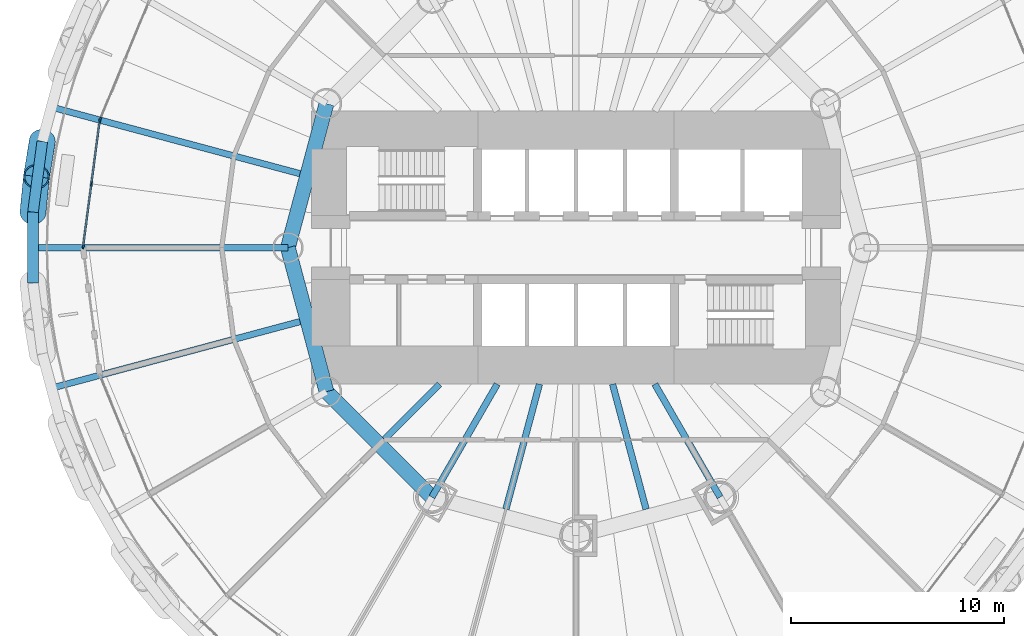
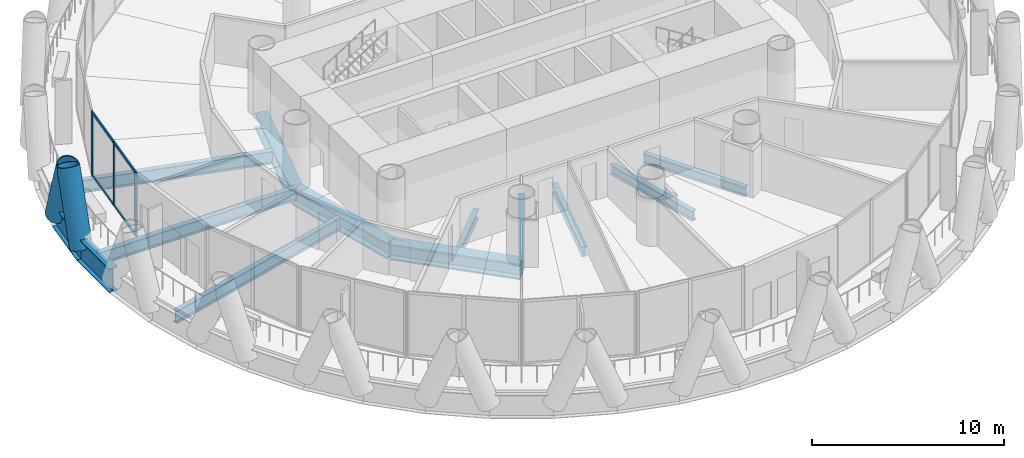
# One storey, part 3 of 16: 13 beams, 10 members, 2 elements without a shape of their own.
"""IFC4 building model written with IfcOpenShell, lengths in metres."""

from ifc_helpers import new_model, si_unit, direction, frame, origin, origin_2d, place, context, subcontext, project, spatial, rectangle, hollow_circle, i_section, extrude, material, material_profile, profile_set, type_object, element, aggregate, save


model = new_model("IFC4")

# Units and contexts
model_context = context("Model", 3, precision=1e-05, world=origin(), true_north=direction((0.0, 1.0)))
body_context = subcontext(model_context, "Body", "Model", "MODEL_VIEW")
ifc_project = project(units=[si_unit("LENGTHUNIT", "METRE"), si_unit("AREAUNIT", "SQUARE_METRE"), si_unit("VOLUMEUNIT", "CUBIC_METRE"), si_unit("PLANEANGLEUNIT", "RADIAN"), si_unit("MASSUNIT", "GRAM", prefix="KILO")], contexts=[model_context])

# Site, building, storey
site_placement = place(None, origin())
site = spatial("IfcSite", under=ifc_project, at=site_placement, CompositionType="ELEMENT")
building_placement = place(site_placement, origin())
building = spatial("IfcBuilding", under=site, at=building_placement, Name="Qaws Media Tower", CompositionType="ELEMENT")
storey_placement = place(building_placement, frame((0.0, 0.0, 80.60009765625)))
storey = spatial("IfcBuildingStorey", under=building, at=storey_placement, Name="L17", CompositionType="ELEMENT", Elevation=80.60009765625)

# Curtain wall, member
ifc_material_1 = material(Name="Aluminium and clear glass", Category="aluminium")
curtain_wall_type = type_object("IfcCurtainWallType", Name="Unitised curtain wall CW-A", PredefinedType="NOTDEFINED", material=ifc_material_1)
curtain_wall_1_placement = place(storey_placement, origin())
curtain_wall_1 = element("IfcCurtainWall", 1, at=curtain_wall_1_placement, inside=storey, type_object=curtain_wall_type, Name="CWA curtain wall L17-11", PredefinedType="NOTDEFINED")
ifc_material_2 = material(Name="Aluminium mullion", Category="aluminium")
ifc_material_profile_1 = material_profile(ifc_material_2, rectangle(XDim=0.080078125, YDim=0.199951171875, at=origin_2d()), Name="80x200")
ifc_profile_set_1 = profile_set([ifc_material_profile_1], Name="Aluminium mullion")
member_type_1 = type_object("IfcMemberType", Name="Curtain wall mullion 80x200", PredefinedType="MULLION", material=ifc_profile_set_1)
member_1_placement = place(storey_placement, frame((37.702392578125, 56.015625, 0.0), z_axis=(0.0, 0.0, 1.0), x_axis=(0.923879517022, -0.382683469758, 0.0)))
member_1 = element("IfcMember", 2, at=member_1_placement, type_object=member_type_1, Name="CWA mullion 3", PredefinedType="MULLION", context=body_context, shape_type="SweptSolid", body=[
    extrude(rectangle(XDim=0.080078125, YDim=0.199951171875, at=origin_2d()), origin(), (0.0, 0.0, 1.0), 4.039794921875),
])
aggregate(curtain_wall_1, [member_1])

# Curtain wall, members
curtain_wall_2_placement = place(storey_placement, origin())
curtain_wall_2 = element("IfcCurtainWall", 3, at=curtain_wall_2_placement, inside=storey, type_object=curtain_wall_type, Name="CWA curtain wall L17-12", PredefinedType="NOTDEFINED")
member_2_placement = place(storey_placement, frame((37.681884765625, 55.93896484375, 0.0), z_axis=(0.0, 0.0, 1.0), x_axis=(0.991444870395, -0.130526123696, 0.0)))
member_2 = element("IfcMember", 4, at=member_2_placement, type_object=member_type_1, Name="CWA mullion 1", PredefinedType="MULLION", context=body_context, shape_type="SweptSolid", body=[
    extrude(rectangle(XDim=0.080078125, YDim=0.199951171875, at=origin_2d()), origin(), (0.0, 0.0, 1.0), 4.039794921875),
])
member_3_placement = place(storey_placement, frame((37.29345703125, 52.9892578125, 0.0), z_axis=(0.0, 0.0, 1.0), x_axis=(0.991444870395, -0.130526123696, 0.0)))
member_3 = element("IfcMember", 5, at=member_3_placement, type_object=member_type_1, Name="CWA mullion 2", PredefinedType="MULLION", context=body_context, shape_type="SweptSolid", body=[
    extrude(rectangle(XDim=0.080078125, YDim=0.199951171875, at=origin_2d()), origin(), (0.0, 0.0, 1.0), 4.039794921875),
])
member_4_placement = place(storey_placement, frame((36.9052734375, 50.03955078125, 0.0), z_axis=(0.0, 0.0, 1.0), x_axis=(0.991444870395, -0.130526123696, 0.0)))
member_4 = element("IfcMember", 6, at=member_4_placement, type_object=member_type_1, Name="CWA mullion 3", PredefinedType="MULLION", context=body_context, shape_type="SweptSolid", body=[
    extrude(rectangle(XDim=0.080078125, YDim=0.199951171875, at=origin_2d()), origin(), (0.0, 0.0, 1.0), 4.039794921875),
])
ifc_material_3 = material(Name="Aluminium transom", Category="aluminium")
ifc_material_profile_2 = material_profile(ifc_material_3, rectangle(XDim=0.080078125, YDim=0.159912109375, at=origin_2d()), Name="80x160")
ifc_profile_set_2 = profile_set([ifc_material_profile_2], Name="Aluminium transom")
member_type_2 = type_object("IfcMemberType", Name="Curtain wall transom 80x160", PredefinedType="USERDEFINED", material=ifc_profile_set_2)
member_5_placement = place(storey_placement, frame((37.6767578125, 55.8994140625, 0.039794921875), z_axis=(-0.130539586254, -0.991443097924, 0.0), x_axis=(0.991443097924, -0.130539586254, 0.0)))
member_5 = element("IfcMember", 7, at=member_5_placement, type_object=member_type_2, Name="CWA transom 1.1", ObjectType="TRANSOM", PredefinedType="USERDEFINED", context=body_context, shape_type="SweptSolid", body=[
    extrude(rectangle(XDim=0.080078125, YDim=0.159912109375, at=origin_2d()), origin(), (0.0, 0.0, 1.0), 2.89501953125),
])
member_6_placement = place(storey_placement, frame((37.6767578125, 55.8994140625, 4.0), z_axis=(-0.130539586254, -0.991443097924, 0.0), x_axis=(0.991443097924, -0.130539586254, 0.0)))
member_6 = element("IfcMember", 8, at=member_6_placement, type_object=member_type_2, Name="CWA transom 1.2", ObjectType="TRANSOM", PredefinedType="USERDEFINED", context=body_context, shape_type="SweptSolid", body=[
    extrude(rectangle(XDim=0.080078125, YDim=0.159912109375, at=origin_2d()), origin(), (0.0, 0.0, 1.0), 2.89501953125),
])
member_7_placement = place(storey_placement, frame((37.288330078125, 52.94970703125, 0.039794921875), z_axis=(-0.130539586254, -0.991443097924, 0.0), x_axis=(0.991443097924, -0.130539586254, 0.0)))
member_7 = element("IfcMember", 9, at=member_7_placement, type_object=member_type_2, Name="CWA transom 2.1", ObjectType="TRANSOM", PredefinedType="USERDEFINED", context=body_context, shape_type="SweptSolid", body=[
    extrude(rectangle(XDim=0.080078125, YDim=0.159912109375, at=origin_2d()), origin(), (0.0, 0.0, 1.0), 2.89501953125),
])
member_8_placement = place(storey_placement, frame((37.288330078125, 52.94970703125, 4.0), z_axis=(-0.130539586254, -0.991443097924, 0.0), x_axis=(0.991443097924, -0.130539586254, 0.0)))
member_8 = element("IfcMember", 10, at=member_8_placement, type_object=member_type_2, Name="CWA transom 2.2", ObjectType="TRANSOM", PredefinedType="USERDEFINED", context=body_context, shape_type="SweptSolid", body=[
    extrude(rectangle(XDim=0.080078125, YDim=0.159912109375, at=origin_2d()), origin(), (0.0, 0.0, 1.0), 2.89501953125),
])
aggregate(curtain_wall_2, [member_2, member_3, member_4, member_5, member_6, member_7, member_8])

# Members
ifc_material_4 = material(Name="Steel S460", Category="steel")
ifc_material_profile_3 = material_profile(ifc_material_4, hollow_circle(Radius=0.609619140625, WallThickness=0.06005859375, at=origin_2d()), Name="CHS 1219x60")
ifc_profile_set_3 = profile_set([ifc_material_profile_3], Name="Steel S460")
member_type_3 = type_object("IfcMemberType", Name="Diagrid member CHS 1219x60", PredefinedType="USERDEFINED", material=ifc_profile_set_3)
for number, where, z_axis, x_axis, name in (
    (11, (34.989990234375, 54.974853515625, -0.91015625), (-0.060125850438, -0.364320516937, 0.929330642478), (0.986653650306, -0.16283296453, 0.0), "DG1 diagrid L17 A12"),
    (12, (34.5546875, 51.667724609375, -0.91015625), (0.036194579277, 0.3674560123, 0.929336339253), (-0.995183849295, 0.098026048078, 0.0), "DG1 diagrid L17 B13"),
):
    element("IfcMember", number, at=place(storey_placement, frame(where, z_axis=z_axis, x_axis=x_axis)), inside=storey, type_object=member_type_3, Name=name, ObjectType="DIAGRID", PredefinedType="USERDEFINED", context=body_context, shape_type="SweptSolid", body=[
        extrude(hollow_circle(Radius=0.609619140625, WallThickness=0.06005859375, at=origin_2d()), origin(), (0.0, 0.0, 1.0), 4.519287109375),
    ])

# Beams
ifc_material_5 = material(Name="Steel S460", Category="steel")
ifc_material_profile_4 = material_profile(ifc_material_5, i_section(OverallWidth=0.5, OverallDepth=1.5, WebThickness=0.02001953125, FlangeThickness=0.0400390625, at=origin_2d()), Name="PG 1500x500")
ifc_profile_set_4 = profile_set([ifc_material_profile_4], Name="Steel S460")
beam_type_1 = type_object("IfcBeamType", Name="Edge ring beam PG 1500x500", PredefinedType="BEAM", material=ifc_profile_set_4)
beam_1_placement = place(storey_placement, frame((34.989990234375, 54.974853515625, -0.91015625), z_axis=(-0.130499951778, -0.99144831564, 0.0), x_axis=(0.99144831564, -0.130499951778, 0.0)))
element("IfcBeam", 13, at=beam_1_placement, inside=storey, type_object=beam_type_1, Name="RB4 edge ring beam L17-23", PredefinedType="BEAM", context=body_context, shape_type="SweptSolid", body=[
    extrude(i_section(OverallWidth=0.5, OverallDepth=1.5, WebThickness=0.02001953125, FlangeThickness=0.0400390625, at=origin_2d()), origin(), (0.0, 0.0, 1.0), 3.335693359375),
])
beam_2_placement = place(storey_placement, frame((34.5546875, 51.667724609375, -0.91015625), z_axis=(0.0, -1.0, 0.0), x_axis=(1.0, 0.0, 0.0)))
element("IfcBeam", 14, at=beam_2_placement, inside=storey, type_object=beam_type_1, Name="RB4 edge ring beam L17-24", PredefinedType="BEAM", context=body_context, shape_type="SweptSolid", body=[
    extrude(i_section(OverallWidth=0.5, OverallDepth=1.5, WebThickness=0.02001953125, FlangeThickness=0.0400390625, at=origin_2d()), origin(), (0.0, 0.0, 1.0), 3.33544921875),
])
ifc_material_6 = material(Name="Steel S460", Category="steel")
ifc_material_profile_5 = material_profile(ifc_material_6, i_section(OverallWidth=0.699951171875, OverallDepth=1.0, WebThickness=0.034912109375, FlangeThickness=0.090087890625, at=origin_2d()), Name="PG 1000x700")
ifc_profile_set_5 = profile_set([ifc_material_profile_5], Name="Steel S460")
beam_type_2 = type_object("IfcBeamType", Name="Inner ring girder PG 1000x700", PredefinedType="BEAM", material=ifc_profile_set_5)
for number, where, z_axis, x_axis, name in (
    (15, (48.30859375, 56.75, -0.66015625), (-0.258810593767, -0.965928090778, 0.0), (0.965928090778, -0.258810593767, 0.0), "B3 inner ring beam L17 I06-I07"),
    (16, (46.5, 50.0, -0.66015625), (0.258810593767, -0.965928090778, 0.0), (0.965928090778, 0.258810593767, 0.0), "B3 inner ring beam L17 I07-I08"),
):
    element("IfcBeam", number, at=place(storey_placement, frame(where, z_axis=z_axis, x_axis=x_axis)), inside=storey, type_object=beam_type_2, Name=name, PredefinedType="BEAM", context=body_context, shape_type="SweptSolid", body=[
        extrude(i_section(OverallWidth=0.699951171875, OverallDepth=1.0, WebThickness=0.034912109375, FlangeThickness=0.090087890625, at=origin_2d()), origin(), (0.0, 0.0, 1.0), 6.988037109375),
    ])
beam_3_placement = place(storey_placement, frame((48.30859375, 43.25, -0.66015625), z_axis=(0.707106781187, -0.707106781187, 0.0), x_axis=(0.707106781187, 0.707106781187, 0.0)))
element("IfcBeam", 17, at=beam_3_placement, inside=storey, type_object=beam_type_2, Name="B3 inner ring beam L17 I08-I09", PredefinedType="BEAM", context=body_context, shape_type="SweptSolid", body=[
    extrude(i_section(OverallWidth=0.699951171875, OverallDepth=1.0, WebThickness=0.034912109375, FlangeThickness=0.090087890625, at=origin_2d()), origin(), (0.0, 0.0, 1.0), 6.98828125),
])
ifc_material_7 = material(Name="Steel S355", Category="steel")
ifc_material_profile_6 = material_profile(ifc_material_7, i_section(OverallWidth=0.304931640625, OverallDepth=0.6201171875, WebThickness=0.02099609375, FlangeThickness=0.0400390625, FilletRadius=0.027099609375, at=origin_2d()), Name="HE 600 M")
ifc_profile_set_6 = profile_set([ifc_material_profile_6], Name="Steel S355")
beam_type_3 = type_object("IfcBeamType", Name="Radial beam HE 600 M, core side", PredefinedType="BEAM", material=ifc_profile_set_6)
beam_4_placement = place(storey_placement, frame((53.60009765625, 43.60009765625, -0.47021484375), z_axis=(-0.707106781187, -0.707106781187, 0.0), x_axis=(0.707106781187, -0.707106781187, 0.0)))
element("IfcBeam", 18, at=beam_4_placement, inside=storey, type_object=beam_type_3, Name="B2 radial beam L17 16", PredefinedType="BEAM", context=body_context, shape_type="SweptSolid", body=[
    extrude(i_section(OverallWidth=0.304931640625, OverallDepth=0.6201171875, WebThickness=0.02099609375, FlangeThickness=0.0400390625, FilletRadius=0.027099609375, at=origin_2d()), origin(), (0.0, 0.0, 1.0), 3.63916015625),
])
beam_5_placement = place(storey_placement, frame((56.304931640625, 43.60009765625, -0.47021484375), z_axis=(-0.49998532359, -0.866033877048, 0.0), x_axis=(0.866033877048, -0.49998532359, 0.0)))
element("IfcBeam", 19, at=beam_5_placement, inside=storey, type_object=beam_type_3, Name="B2 radial beam L17 17", PredefinedType="BEAM", context=body_context, shape_type="SweptSolid", body=[
    extrude(i_section(OverallWidth=0.304931640625, OverallDepth=0.6201171875, WebThickness=0.02099609375, FlangeThickness=0.0400390625, FilletRadius=0.027099609375, at=origin_2d()), origin(), (0.0, 0.0, 1.0), 6.110107421875),
])
for number, where, z_axis, x_axis, name in (
    (20, (58.28515625, 43.60009765625, -0.47021484375), (-0.258822614448, -0.965924869879, 0.0), (0.965924869879, -0.258822614448, 0.0), "B2 radial beam L17 18"),
    (21, (61.71484375, 43.60009765625, -0.47021484375), (0.258822614448, -0.965924869879, 0.0), (0.965924869879, 0.258822614448, 0.0), "B2 radial beam L17 20"),
):
    element("IfcBeam", number, at=place(storey_placement, frame(where, z_axis=z_axis, x_axis=x_axis)), inside=storey, type_object=beam_type_3, Name=name, PredefinedType="BEAM", context=body_context, shape_type="SweptSolid", body=[
        extrude(i_section(OverallWidth=0.304931640625, OverallDepth=0.6201171875, WebThickness=0.02099609375, FlangeThickness=0.0400390625, FilletRadius=0.027099609375, at=origin_2d()), origin(), (0.0, 0.0, 1.0), 6.064208984375),
    ])
beam_6_placement = place(storey_placement, frame((63.695068359375, 43.60009765625, -0.47021484375), z_axis=(0.49998532359, -0.866033877048, 0.0), x_axis=(0.866033877048, 0.49998532359, 0.0)))
element("IfcBeam", 22, at=beam_6_placement, inside=storey, type_object=beam_type_3, Name="B2 radial beam L17 21", PredefinedType="BEAM", context=body_context, shape_type="SweptSolid", body=[
    extrude(i_section(OverallWidth=0.304931640625, OverallDepth=0.6201171875, WebThickness=0.02099609375, FlangeThickness=0.0400390625, FilletRadius=0.027099609375, at=origin_2d()), origin(), (0.0, 0.0, 1.0), 6.110107421875),
])
ifc_material_8 = material(Name="Steel S355", Category="steel")
ifc_material_profile_7 = material_profile(ifc_material_8, i_section(OverallWidth=0.300048828125, OverallDepth=0.800048828125, WebThickness=0.017578125, FlangeThickness=0.032958984375, FilletRadius=0.030029296875, at=origin_2d()), Name="HE 800 B")
ifc_profile_set_7 = profile_set([ifc_material_profile_7], Name="Steel S355")
beam_type_4 = type_object("IfcBeamType", Name="Radial beam HE 800 B", PredefinedType="BEAM", material=ifc_profile_set_7)
beam_7_placement = place(storey_placement, frame((47.066162109375, 53.465576171875, -0.56005859375), z_axis=(-0.965926356286, 0.25881706712, 0.0), x_axis=(-0.25881706712, -0.965926356286, 0.0)))
element("IfcBeam", 23, at=beam_7_placement, inside=storey, type_object=beam_type_4, Name="B1 radial beam L17 12", PredefinedType="BEAM", context=body_context, shape_type="SweptSolid", body=[
    extrude(i_section(OverallWidth=0.300048828125, OverallDepth=0.800048828125, WebThickness=0.017578125, FlangeThickness=0.032958984375, FilletRadius=0.030029296875, at=origin_2d()), origin(), (0.0, 0.0, 1.0), 12.055419921875),
])
beam_8_placement = place(storey_placement, frame((46.5, 50.0, -0.56005859375), z_axis=(-1.0, 0.0, 0.0), x_axis=(0.0, -1.0, 0.0)))
element("IfcBeam", 24, at=beam_8_placement, inside=storey, type_object=beam_type_4, Name="B1 radial beam L17 13", PredefinedType="BEAM", context=body_context, shape_type="SweptSolid", body=[
    extrude(i_section(OverallWidth=0.300048828125, OverallDepth=0.800048828125, WebThickness=0.017578125, FlangeThickness=0.032958984375, FilletRadius=0.030029296875, at=origin_2d()), origin(), (0.0, 0.0, 1.0), 11.9453125),
])
beam_9_placement = place(storey_placement, frame((47.066162109375, 46.534423828125, -0.56005859375), z_axis=(-0.965926356286, -0.25881706712, 0.0), x_axis=(0.25881706712, -0.965926356286, 0.0)))
element("IfcBeam", 25, at=beam_9_placement, inside=storey, type_object=beam_type_4, Name="B1 radial beam L17 14", PredefinedType="BEAM", context=body_context, shape_type="SweptSolid", body=[
    extrude(i_section(OverallWidth=0.300048828125, OverallDepth=0.800048828125, WebThickness=0.017578125, FlangeThickness=0.032958984375, FilletRadius=0.030029296875, at=origin_2d()), origin(), (0.0, 0.0, 1.0), 12.055419921875),
])

save(model, "model.ifc")
